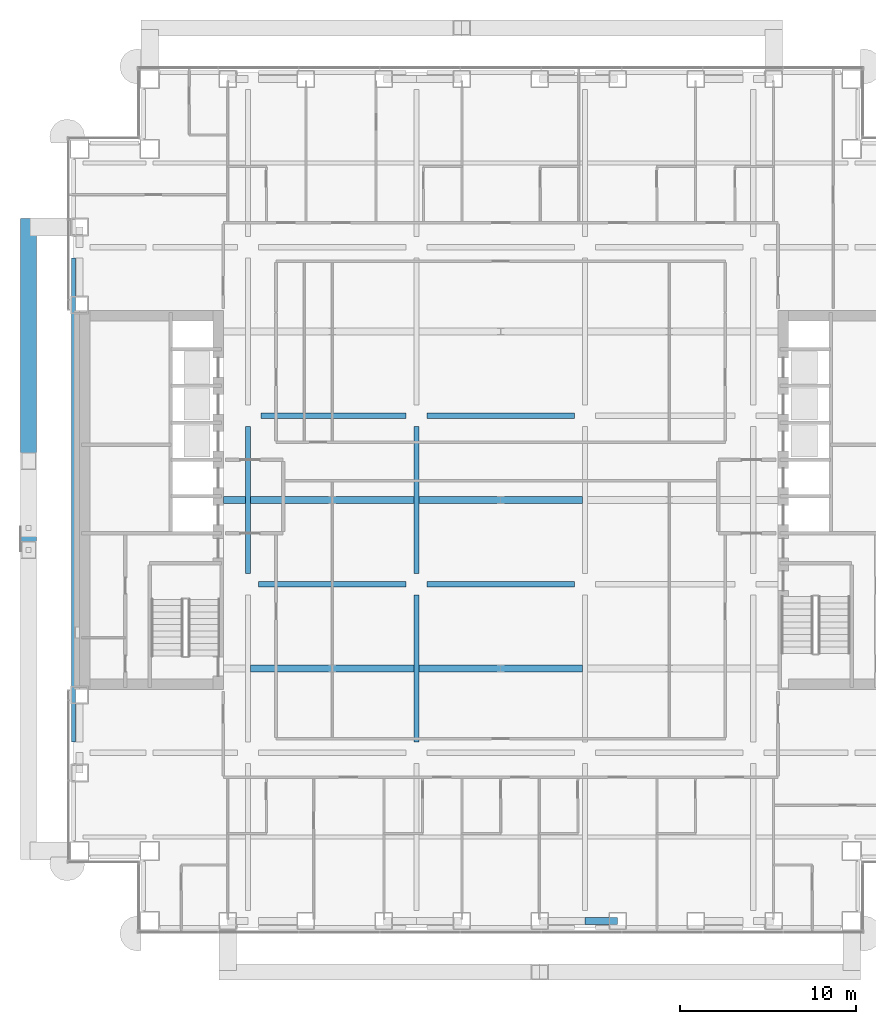
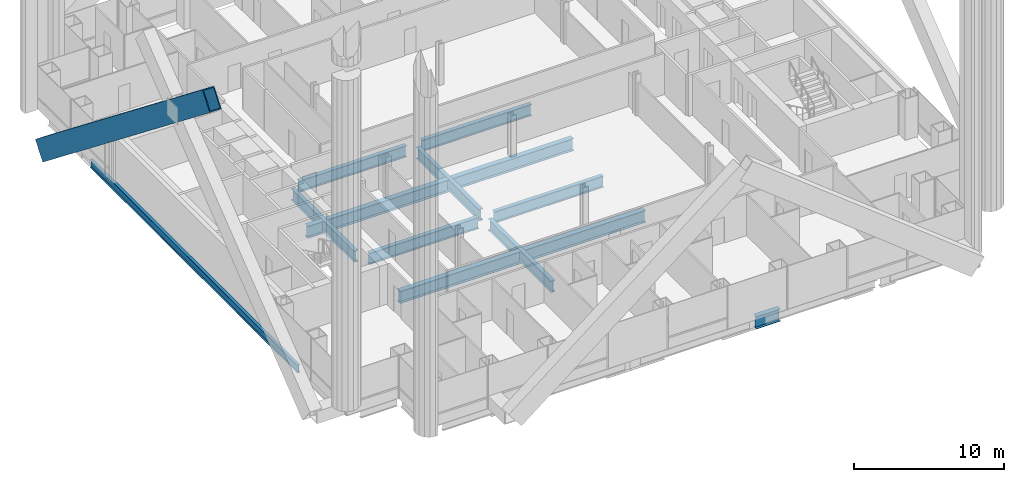
# One storey, part 5 of 28: 14 beams, 1 member.
"""IFC4 building model written with IfcOpenShell, lengths in metres."""

from ifc_helpers import new_model, si_unit, direction, frame, origin, origin_2d, place, context, subcontext, project, spatial, hollow_rectangle, i_section, extrude, material, material_profile, profile_set, type_object, element, save


model = new_model("IFC4")

# Units and contexts
model_context = context("Model", 3, precision=1e-05, world=origin(), true_north=direction((0.0, 1.0)))
body_context = subcontext(model_context, "Body", "Model", "MODEL_VIEW")
ifc_project = project(units=[si_unit("LENGTHUNIT", "METRE"), si_unit("AREAUNIT", "SQUARE_METRE"), si_unit("VOLUMEUNIT", "CUBIC_METRE"), si_unit("PLANEANGLEUNIT", "RADIAN"), si_unit("MASSUNIT", "GRAM", prefix="KILO")], contexts=[model_context])

# Site, building, storey
site_placement = place(None, origin())
site = spatial("IfcSite", under=ifc_project, at=site_placement, CompositionType="ELEMENT")
building_placement = place(site_placement, origin())
building = spatial("IfcBuilding", under=site, at=building_placement, Name="Cobrizo Arcos Hotel Tower", CompositionType="ELEMENT")
storey_placement = place(building_placement, frame((0.0, 0.0, 39.0)))
storey = spatial("IfcBuildingStorey", under=building, at=storey_placement, Name="L07", CompositionType="ELEMENT", Elevation=39.0)

# Member
ifc_material_1 = material(Name="Steel ASTM A572 Grade 50", Category="steel")
ifc_material_profile_1 = material_profile(ifc_material_1, hollow_rectangle(XDim=0.89990234375, YDim=1.60009765625, WallThickness=0.070068359375, at=origin_2d()), Name="BOX 900X1600X70")
ifc_profile_set_1 = profile_set([ifc_material_profile_1], Name="Steel ASTM A572 Grade 50")
member_type = type_object("IfcMemberType", Name="BOX 900X1600X70 perimeter brace", PredefinedType="BRACE", material=ifc_profile_set_1)
member_placement = place(storey_placement, frame((-26.89990234375, 15.5556640625, 0.5), z_axis=(0.0, -0.785638884307, 0.618685334774), x_axis=(1.0, 0.0, 0.0)))
element("IfcMember", 1, at=member_placement, inside=storey, type_object=member_type, Name="Perimeter brace PBR1, zone Z1, west face, no. 00", PredefinedType="BRACE", context=body_context, shape_type="SweptSolid", body=[
    extrude(hollow_rectangle(XDim=0.89990234375, YDim=1.60009765625, WallThickness=0.070068359375, at=origin_2d()), origin(), (0.0, 0.0, 1.0), 28.285888671875),
])

# Beams
ifc_material_2 = material(Name="Steel ASTM A992 Grade 50", Category="steel")
ifc_material_profile_2 = material_profile(ifc_material_2, i_section(OverallWidth=0.23046875, OverallDepth=0.6171875, WebThickness=0.01318359375, FlangeThickness=0.022216796875, at=origin_2d()), Name="W24X94")
ifc_profile_set_2 = profile_set([ifc_material_profile_2], Name="Steel ASTM A992 Grade 50")
beam_type_1 = type_object("IfcBeamType", Name="W24X94 spandrel", PredefinedType="SPANDREL", material=ifc_profile_set_2)
beam_1_placement = place(storey_placement, frame((-24.35009765625, -13.800048828125, -0.45849609375), z_axis=(0.0, 1.0, 0.0), x_axis=(-1.0, 0.0, 0.0)))
element("IfcBeam", 2, at=beam_1_placement, inside=storey, type_object=beam_type_1, Name="Spandrel beam W24X94, L07, no. 002", PredefinedType="SPANDREL", context=body_context, shape_type="SweptSolid", body=[
    extrude(i_section(OverallWidth=0.23046875, OverallDepth=0.6171875, WebThickness=0.01318359375, FlangeThickness=0.022216796875, at=origin_2d()), origin(), (0.0, 0.0, 1.0), 27.60009765625),
])
ifc_material_profile_3 = material_profile(ifc_material_2, i_section(OverallWidth=0.307373046875, OverallDepth=0.927001953125, WebThickness=0.01953125, FlangeThickness=0.031982421875, at=origin_2d()), Name="W36X194")
ifc_profile_set_3 = profile_set([ifc_material_profile_3], Name="Steel ASTM A992 Grade 50")
beam_type_2 = type_object("IfcBeamType", Name="W36X194 podium girder", PredefinedType="BEAM", material=ifc_profile_set_3)
beam_2_placement = place(storey_placement, frame((-13.800048828125, -4.800048828125, -0.613525390625), z_axis=(1.0, 0.0, 0.0), x_axis=(0.0, 1.0, 0.0)))
element("IfcBeam", 3, at=beam_2_placement, inside=storey, type_object=beam_type_2, Name="Podium girder PG1, L07, no. 008", PredefinedType="BEAM", context=body_context, shape_type="SweptSolid", body=[
    extrude(i_section(OverallWidth=0.307373046875, OverallDepth=0.927001953125, WebThickness=0.01953125, FlangeThickness=0.031982421875, at=origin_2d()), origin(), (0.0, 0.0, 1.0), 8.400146484375),
])
beam_3_placement = place(storey_placement, frame((-4.199951171875, -4.800048828125, -0.613525390625), z_axis=(1.0, 0.0, 0.0), x_axis=(0.0, 1.0, 0.0)))
element("IfcBeam", 4, at=beam_3_placement, inside=storey, type_object=beam_type_2, Name="Podium girder PG1, L07, no. 009", PredefinedType="BEAM", context=body_context, shape_type="SweptSolid", body=[
    extrude(i_section(OverallWidth=0.307373046875, OverallDepth=0.927001953125, WebThickness=0.01953125, FlangeThickness=0.031982421875, at=origin_2d()), origin(), (0.0, 0.0, 1.0), 8.39990234375),
])
beam_4_placement = place(storey_placement, frame((-13.64990234375, 4.800048828125, -0.613525390625), z_axis=(1.0, 0.0, 0.0), x_axis=(0.0, 1.0, 0.0)))
element("IfcBeam", 5, at=beam_4_placement, inside=storey, type_object=beam_type_2, Name="Podium girder PG1, L07, no. 012", PredefinedType="BEAM", context=body_context, shape_type="SweptSolid", body=[
    extrude(i_section(OverallWidth=0.307373046875, OverallDepth=0.927001953125, WebThickness=0.01953125, FlangeThickness=0.031982421875, at=origin_2d()), origin(), (0.0, 0.0, 1.0), 8.25),
])
for number, where, z_axis, x_axis, name in (
    (6, (-4.199951171875, 4.800048828125, -0.613525390625), (1.0, 0.0, 0.0), (0.0, 1.0, 0.0), "Podium girder PG1, L07, no. 013"),
    (7, (-14.39990234375, -4.199951171875, -0.613525390625), (0.0, 1.0, 0.0), (-1.0, 0.0, 0.0), "Podium girder PG1, L07, no. 025"),
):
    element("IfcBeam", number, at=place(storey_placement, frame(where, z_axis=z_axis, x_axis=x_axis)), inside=storey, type_object=beam_type_2, Name=name, PredefinedType="BEAM", context=body_context, shape_type="SweptSolid", body=[
        extrude(i_section(OverallWidth=0.307373046875, OverallDepth=0.927001953125, WebThickness=0.01953125, FlangeThickness=0.031982421875, at=origin_2d()), origin(), (0.0, 0.0, 1.0), 8.39990234375),
    ])
beam_5_placement = place(storey_placement, frame((-4.800048828125, -13.800048828125, -0.613525390625), z_axis=(0.0, 1.0, 0.0), x_axis=(-1.0, 0.0, 0.0)))
element("IfcBeam", 8, at=beam_5_placement, inside=storey, type_object=beam_type_2, Name="Podium girder PG1, L07, no. 029", PredefinedType="BEAM", context=body_context, shape_type="SweptSolid", body=[
    extrude(i_section(OverallWidth=0.307373046875, OverallDepth=0.927001953125, WebThickness=0.01953125, FlangeThickness=0.031982421875, at=origin_2d()), origin(), (0.0, 0.0, 1.0), 8.400146484375),
])
beam_6_placement = place(storey_placement, frame((-4.800048828125, -4.199951171875, -0.613525390625), z_axis=(0.0, 1.0, 0.0), x_axis=(-1.0, 0.0, 0.0)))
element("IfcBeam", 9, at=beam_6_placement, inside=storey, type_object=beam_type_2, Name="Podium girder PG1, L07, no. 030", PredefinedType="BEAM", context=body_context, shape_type="SweptSolid", body=[
    extrude(i_section(OverallWidth=0.307373046875, OverallDepth=0.927001953125, WebThickness=0.01953125, FlangeThickness=0.031982421875, at=origin_2d()), origin(), (0.0, 0.0, 1.0), 8.39990234375),
])
ifc_material_profile_4 = material_profile(ifc_material_2, i_section(OverallWidth=0.4013671875, OverallDepth=0.990478515625, WebThickness=0.0166015625, FlangeThickness=0.025390625, at=origin_2d()), Name="W40X215")
ifc_profile_set_4 = profile_set([ifc_material_profile_4], Name="Steel ASTM A992 Grade 50")
beam_type_3 = type_object("IfcBeamType", Name="W40X215 transfer girder", PredefinedType="BEAM", material=ifc_profile_set_4)
beam_7_placement = place(storey_placement, frame((-14.246337890625, -9.60009765625, -0.645263671875), z_axis=(1.0, 0.0, 0.0), x_axis=(0.0, 1.0, 0.0)))
element("IfcBeam", 10, at=beam_7_placement, inside=storey, type_object=beam_type_3, Name="Transfer girder TG1, L07, no. 002", PredefinedType="BEAM", context=body_context, shape_type="SweptSolid", body=[
    extrude(i_section(OverallWidth=0.4013671875, OverallDepth=0.990478515625, WebThickness=0.0166015625, FlangeThickness=0.025390625, at=origin_2d()), origin(), (0.0, 0.0, 1.0), 9.292724609375),
])
beam_8_placement = place(storey_placement, frame((-4.646240234375, -9.60009765625, -0.645263671875), z_axis=(1.0, 0.0, 0.0), x_axis=(0.0, 1.0, 0.0)))
element("IfcBeam", 11, at=beam_8_placement, inside=storey, type_object=beam_type_3, Name="Transfer girder TG1, L07, no. 003", PredefinedType="BEAM", context=body_context, shape_type="SweptSolid", body=[
    extrude(i_section(OverallWidth=0.4013671875, OverallDepth=0.990478515625, WebThickness=0.0166015625, FlangeThickness=0.025390625, at=origin_2d()), origin(), (0.0, 0.0, 1.0), 9.29248046875),
])
beam_9_placement = place(storey_placement, frame((-15.7900390625, 0.0, -0.645263671875), z_axis=(1.0, 0.0, 0.0), x_axis=(0.0, 1.0, 0.0)))
element("IfcBeam", 12, at=beam_9_placement, inside=storey, type_object=beam_type_3, Name="Transfer girder TG1, L07, no. 006", PredefinedType="BEAM", context=body_context, shape_type="SweptSolid", body=[
    extrude(i_section(OverallWidth=0.4013671875, OverallDepth=0.990478515625, WebThickness=0.0166015625, FlangeThickness=0.025390625, at=origin_2d()), origin(), (0.0, 0.0, 1.0), 1.236328125),
])
beam_10_placement = place(storey_placement, frame((-14.246337890625, 0.0, -0.645263671875), z_axis=(1.0, 0.0, 0.0), x_axis=(0.0, 1.0, 0.0)))
element("IfcBeam", 13, at=beam_10_placement, inside=storey, type_object=beam_type_3, Name="Transfer girder TG1, L07, no. 007", PredefinedType="BEAM", context=body_context, shape_type="SweptSolid", body=[
    extrude(i_section(OverallWidth=0.4013671875, OverallDepth=0.990478515625, WebThickness=0.0166015625, FlangeThickness=0.025390625, at=origin_2d()), origin(), (0.0, 0.0, 1.0), 9.292724609375),
])
beam_11_placement = place(storey_placement, frame((-4.646240234375, 0.0, -0.645263671875), z_axis=(1.0, 0.0, 0.0), x_axis=(0.0, 1.0, 0.0)))
element("IfcBeam", 14, at=beam_11_placement, inside=storey, type_object=beam_type_3, Name="Transfer girder TG1, L07, no. 008", PredefinedType="BEAM", context=body_context, shape_type="SweptSolid", body=[
    extrude(i_section(OverallWidth=0.4013671875, OverallDepth=0.990478515625, WebThickness=0.0166015625, FlangeThickness=0.025390625, at=origin_2d()), origin(), (0.0, 0.0, 1.0), 9.29248046875),
])
beam_12_placement = place(storey_placement, frame((4.800048828125, -24.0, -0.645263671875), z_axis=(1.0, 0.0, 0.0), x_axis=(0.0, 1.0, 0.0)))
element("IfcBeam", 15, at=beam_12_placement, inside=storey, type_object=beam_type_3, Name="Setback transfer girder TG1, L07, no. 012", PredefinedType="BEAM", context=body_context, shape_type="SweptSolid", body=[
    extrude(i_section(OverallWidth=0.4013671875, OverallDepth=0.990478515625, WebThickness=0.0166015625, FlangeThickness=0.025390625, at=origin_2d()), origin(), (0.0, 0.0, 1.0), 1.866943359375),
])

save(model, "model.ifc")
